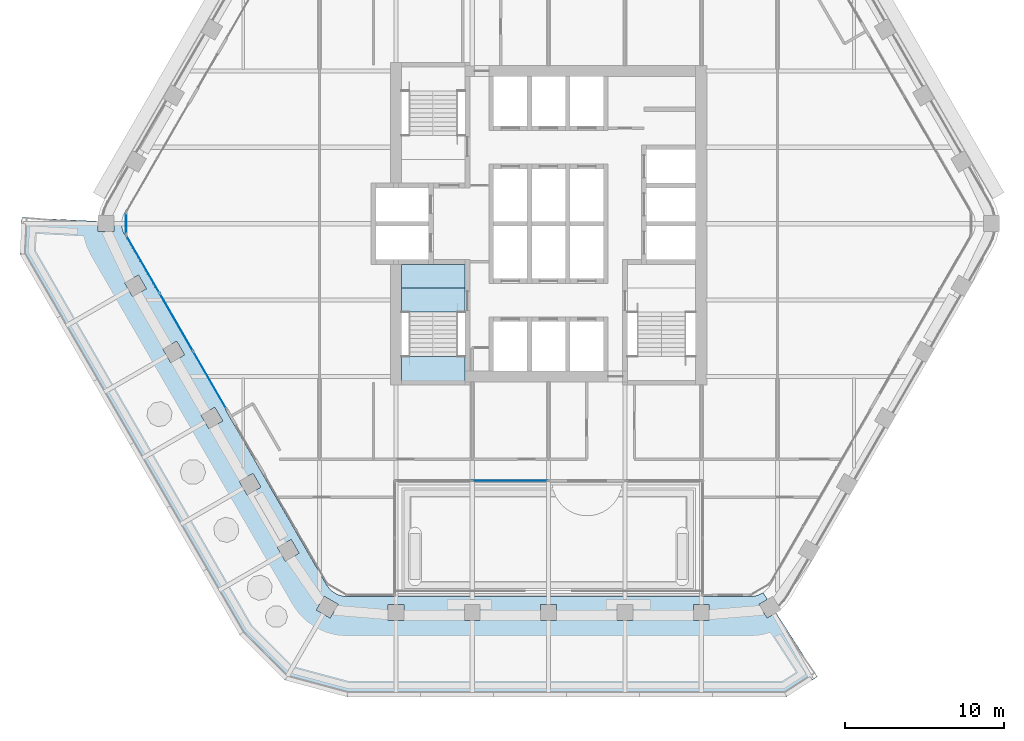
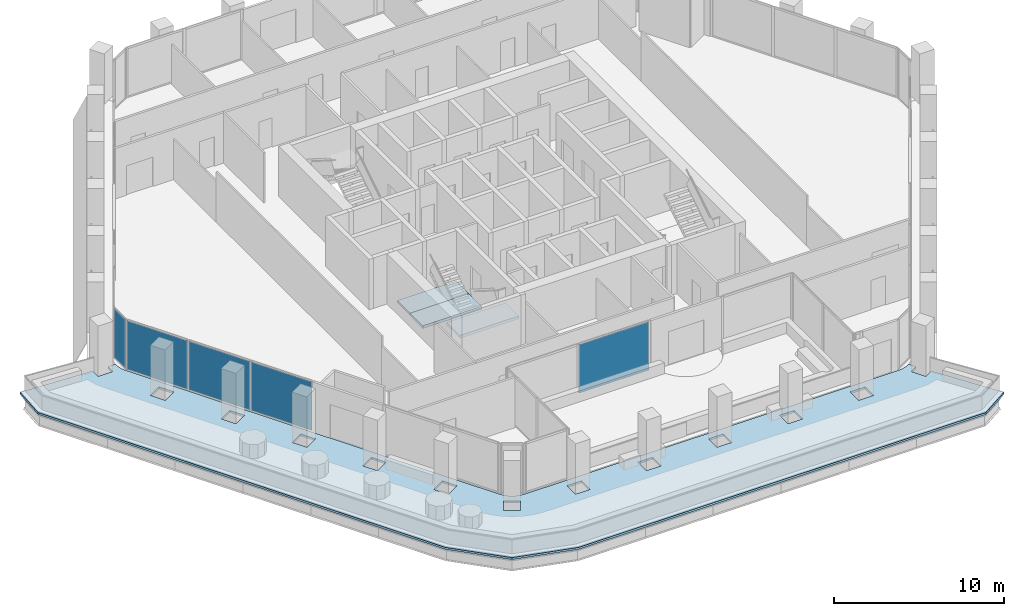
# One storey, part 9 of 18: 5 plates, 4 slabs, 4 elements without a shape of their own.
"""IFC4 building model written with IfcOpenShell, lengths in metres."""

from ifc_helpers import new_model, si_unit, direction, frame, origin, origin_2d, place, context, subcontext, project, spatial, polyline, rectangle, outline, extrude, material, layer, layer_set, type_object, element, aggregate, save


model = new_model("IFC4")

# Units and contexts
model_context = context("Model", 3, precision=1e-05, world=origin(), true_north=direction((0.0, 1.0)))
body_context = subcontext(model_context, "Body", "Model", "MODEL_VIEW")
ifc_project = project(units=[si_unit("LENGTHUNIT", "METRE"), si_unit("AREAUNIT", "SQUARE_METRE"), si_unit("VOLUMEUNIT", "CUBIC_METRE"), si_unit("PLANEANGLEUNIT", "RADIAN"), si_unit("MASSUNIT", "GRAM", prefix="KILO")], contexts=[model_context])

# Site, building, storey
site_placement = place(None, origin())
site = spatial("IfcSite", under=ifc_project, at=site_placement, CompositionType="ELEMENT")
building_placement = place(site_placement, origin())
building = spatial("IfcBuilding", under=site, at=building_placement, Name="Kolab Exchange Tower", CompositionType="ELEMENT")
storey_placement = place(building_placement, frame((0.0, 0.0, 212.89990234375)))
storey = spatial("IfcBuildingStorey", under=building, at=storey_placement, Name="L46", CompositionType="ELEMENT", Elevation=212.89990234375)

# Slab
ifc_material_1 = material(Name="Concrete C35/45", Category="concrete")
ifc_layer_1 = layer(ifc_material_1, 0.14990234375)
ifc_layer_set_1 = layer_set([ifc_layer_1], Name="Concrete C35/45")
slab_type_1 = type_object("IfcSlabType", Name="FLOOR SLAB 150", PredefinedType="FLOOR", material=ifc_layer_set_1)
slab_1_placement = place(storey_placement, frame((0.0, 0.0, -0.14990234375)))
element("IfcSlab", 1, at=slab_1_placement, inside=storey, type_object=slab_type_1, Name="slab/L46/floor/3", PredefinedType="FLOOR", context=body_context, shape_type="SweptSolid", body=[
    extrude(outline(polyline([(-7.550048828125, -2.550048828125), (-9.25, -2.550048828125), (-9.25, -4.050048828125), (-5.25, -4.050048828125), (-5.25, -2.550048828125), (-7.25, -2.550048828125), (-7.550048828125, -2.550048828125)])), origin(), (0.0, 0.0, 1.0), 0.14990234375),
])

# Stair, slabs
ifc_material_2 = material(Name="Concrete C50/60", Category="concrete")
stair_type = type_object("IfcStairType", Name="STAIR ST3 RISER 177.3", PredefinedType="HALF_TURN_STAIR", material=ifc_material_2)
stair_placement = place(storey_placement, origin())
stair = element("IfcStair", 2, at=stair_placement, inside=storey, type_object=stair_type, Name="Stair 3", PredefinedType="HALF_TURN_STAIR")
ifc_layer_2 = layer(ifc_material_2, 0.199951171875)
ifc_layer_set_2 = layer_set([ifc_layer_2], Name="Concrete C50/60")
slab_type_2 = type_object("IfcSlabType", Name="STAIR LANDING 200", PredefinedType="LANDING", material=ifc_layer_set_2)
slab_2_placement = place(storey_placement, frame((0.0, 0.0, -0.199951171875)))
slab_2 = element("IfcSlab", 3, at=slab_2_placement, type_object=slab_type_2, Name="ST3 landing 1", PredefinedType="LANDING", context=body_context, shape_type="SweptSolid", body=[
    extrude(outline(polyline([(-9.25, -5.550048828125), (-5.25, -5.550048828125), (-5.25, -4.050048828125), (-9.25, -4.050048828125), (-9.25, -5.550048828125)])), origin(), (0.0, 0.0, 1.0), 0.199951171875),
])
slab_3_placement = place(storey_placement, frame((0.0, 0.0, 1.75)))
slab_3 = element("IfcSlab", 4, at=slab_3_placement, type_object=slab_type_2, Name="ST3 landing 2", PredefinedType="LANDING", context=body_context, shape_type="SweptSolid", body=[
    extrude(outline(polyline([(-9.25, -9.909912109375), (-5.25, -9.909912109375), (-5.25, -8.35009765625), (-9.25, -8.35009765625), (-9.25, -9.909912109375)])), origin(), (0.0, 0.0, 1.0), 0.2001953125),
])
aggregate(stair, [slab_2, slab_3])

# Slab
ifc_layer_3 = layer(ifc_material_1, 0.14990234375)
ifc_layer_set_3 = layer_set([ifc_layer_3], Name="Concrete C35/45")
slab_type_3 = type_object("IfcSlabType", Name="TERRACE SLAB 150 PLANTED", PredefinedType="ROOF", material=ifc_layer_set_3)
slab_4_placement = place(storey_placement, frame((0.0, 0.0, -0.14990234375)))
element("IfcSlab", 5, at=slab_4_placement, inside=storey, type_object=slab_type_3, Name="Roof terrace", PredefinedType="ROOF", context=body_context, shape_type="SweptSolid", body=[
    extrude(outline(polyline([(-33.232421875, -1.922607421875), (-33.232421875, -1.9228515625), (-19.4228515625, -25.841552734375), (-16.56787109375, -28.696533203125), (-12.66796875, -29.741455078125), (14.951171875, -29.741455078125), (16.8955078125, -28.4853515625), (14.2978515625, -24.464599609375), (13.73486328125, -24.78955078125), (13.23486328125, -23.923583984375), (13.754638671875, -23.62353515625), (13.4794921875, -23.197509765625), (13.479248046875, -23.197509765625), (13.418212890625, -23.240478515625), (13.41796875, -23.240478515625), (13.417724609375, -23.24072265625), (13.18115234375, -23.35107421875), (13.180908203125, -23.35107421875), (12.9287109375, -23.418701171875), (12.928466796875, -23.418701171875), (12.92822265625, -23.418701171875), (12.66796875, -23.44140625), (12.66796875, -23.441650390625), (-12.66796875, -23.441650390625), (-12.66796875, -23.44140625), (-12.92822265625, -23.418701171875), (-12.928466796875, -23.418701171875), (-12.9287109375, -23.418701171875), (-13.180908203125, -23.35107421875), (-13.18115234375, -23.35107421875), (-13.417724609375, -23.24072265625), (-13.41796875, -23.240478515625), (-13.418212890625, -23.240478515625), (-13.632080078125, -23.0908203125), (-13.632080078125, -23.090576171875), (-13.63232421875, -23.090576171875), (-13.81689453125, -22.90576171875), (-13.817138671875, -22.905517578125), (-13.967041015625, -22.691650390625), (-13.967041015625, -22.69140625), (-26.635009765625, -0.75), (-26.745361328125, -0.51318359375), (-26.745361328125, -0.512939453125), (-26.81298828125, -0.2607421875), (-26.81298828125, -0.260498046875), (-26.813232421875, -0.26025390625), (-26.8359375, -0.000244140625), (-26.8359375, 0.0), (-26.8359375, 0.000244140625), (-26.829345703125, 0.07470703125), (-27.3359375, 0.10009765625), (-27.3359375, -0.5), (-28.3359375, -0.5), (-28.3359375, 0.150146484375), (-33.11669921875, 0.389404296875), (-33.11669921875, 0.38916015625), (-33.232421875, -1.922607421875)]), holes=[polyline([(-10.10009765625, -24.941650390625), (-10.10009765625, -23.941650390625), (-9.10009765625, -23.941650390625), (-9.10009765625, -24.941650390625), (-10.10009765625, -24.941650390625)]), polyline([(-14.60107421875, -24.28955078125), (-14.10107421875, -23.423583984375), (-13.23486328125, -23.923583984375), (-13.73486328125, -24.78955078125), (-14.60107421875, -24.28955078125)]), polyline([(-17.050048828125, -20.3515625), (-16.18408203125, -19.8515625), (-15.68408203125, -20.717529296875), (-16.550048828125, -21.217529296875), (-17.050048828125, -20.3515625)]), polyline([(-19.449951171875, -16.194580078125), (-18.583984375, -15.694580078125), (-18.083984375, -16.560791015625), (-18.949951171875, -17.060791015625), (-19.449951171875, -16.194580078125)]), polyline([(-21.85009765625, -12.037841796875), (-20.98388671875, -11.537841796875), (-20.48388671875, -12.40380859375), (-21.35009765625, -12.90380859375), (-21.85009765625, -12.037841796875)]), polyline([(-24.25, -7.880859375), (-23.384033203125, -7.380859375), (-22.884033203125, -8.246826171875), (-23.75, -8.746826171875), (-24.25, -7.880859375)]), polyline([(-26.64990234375, -3.723876953125), (-25.783935546875, -3.223876953125), (-25.283935546875, -4.08984375), (-26.14990234375, -4.58984375), (-26.64990234375, -3.723876953125)]), polyline([(-0.5, -23.941650390625), (0.5, -23.941650390625), (0.5, -24.941650390625), (-0.5, -24.941650390625), (-0.5, -23.941650390625)]), polyline([(-5.300048828125, -23.941650390625), (-4.300048828125, -23.941650390625), (-4.300048828125, -24.941650390625), (-5.300048828125, -24.941650390625), (-5.300048828125, -23.941650390625)]), polyline([(4.300048828125, -23.941650390625), (5.300048828125, -23.941650390625), (5.300048828125, -24.941650390625), (4.300048828125, -24.941650390625), (4.300048828125, -23.941650390625)]), polyline([(9.10009765625, -23.941650390625), (10.10009765625, -23.941650390625), (10.10009765625, -24.941650390625), (9.10009765625, -24.941650390625), (9.10009765625, -23.941650390625)])]), origin(), (0.0, 0.0, 1.0), 0.14990234375),
])

# Curtain wall, plate
ifc_material_3 = material(Name="Aluminium EN AW-6063 T6", Category="aluminium")
curtain_wall_type = type_object("IfcCurtainWallType", Name="UNITISED UPPER MID ZONE CURTAIN WALL", PredefinedType="NOTDEFINED", material=ifc_material_3)
curtain_wall_1_placement = place(storey_placement, origin())
curtain_wall_1 = element("IfcCurtainWall", 6, at=curtain_wall_1_placement, inside=storey, type_object=curtain_wall_type, Name="cw/L46/F4-back-2", PredefinedType="NOTDEFINED")
ifc_material_4 = material(Name="Clear insulated glazing unit", Category="glass")
ifc_layer_4 = layer(ifc_material_4, 0.028076171875)
ifc_layer_set_4 = layer_set([ifc_layer_4], Name="Clear insulated glazing unit")
plate_type = type_object("IfcPlateType", Name="UNITISED UPPER MID ZONE GLASS PANEL 28", PredefinedType="CURTAIN_PANEL", material=ifc_layer_set_4)
plate_1_placement = place(storey_placement, frame((-2.43505859375, -16.16162109375, 0.06005859375), z_axis=(0.0, 0.0, 1.0), x_axis=(-1.0, 0.0, 0.0)))
plate_1 = element("IfcPlate", 7, at=plate_1_placement, type_object=plate_type, Name="CW3 panel 1.1", PredefinedType="CURTAIN_PANEL", context=body_context, shape_type="SweptSolid", body=[
    extrude(rectangle(XDim=4.75, YDim=0.028076171875, at=origin_2d()), origin(), (0.0, 0.0, 1.0), 3.47998046875),
])
aggregate(curtain_wall_1, [plate_1])

# Curtain wall, plates
curtain_wall_2_placement = place(storey_placement, origin())
curtain_wall_2 = element("IfcCurtainWall", 8, at=curtain_wall_2_placement, inside=storey, type_object=curtain_wall_type, Name="cw/L46/F5-2", PredefinedType="NOTDEFINED")
plate_2_placement = place(storey_placement, frame((-21.294921875, -9.83935546875, 0.06005859375), z_axis=(0.0, 0.0, 1.0), x_axis=(-0.499999958358, 0.866025427826, 0.0)))
plate_2 = element("IfcPlate", 9, at=plate_2_placement, type_object=plate_type, Name="CW3 panel 1.1", PredefinedType="CURTAIN_PANEL", context=body_context, shape_type="SweptSolid", body=[
    extrude(rectangle(XDim=4.132568359375, YDim=0.028076171875, at=origin_2d()), origin(), (0.0, 0.0, 1.0), 3.47998046875),
])
plate_3_placement = place(storey_placement, frame((-23.398681640625, -6.1953125, 0.06005859375), z_axis=(0.0, 0.0, 1.0), x_axis=(-0.499999958358, 0.866025427826, 0.0)))
plate_3 = element("IfcPlate", 10, at=plate_3_placement, type_object=plate_type, Name="CW3 panel 2.1", PredefinedType="CURTAIN_PANEL", context=body_context, shape_type="SweptSolid", body=[
    extrude(rectangle(XDim=4.16259765625, YDim=0.028076171875, at=origin_2d()), origin(), (0.0, 0.0, 1.0), 3.47998046875),
])
plate_4_placement = place(storey_placement, frame((-25.50244140625, -2.551513671875, 0.06005859375), z_axis=(0.0, 0.0, 1.0), x_axis=(-0.499999958358, 0.866025427826, 0.0)))
plate_4 = element("IfcPlate", 11, at=plate_4_placement, type_object=plate_type, Name="CW3 panel 3.1", PredefinedType="CURTAIN_PANEL", context=body_context, shape_type="SweptSolid", body=[
    extrude(rectangle(XDim=4.132568359375, YDim=0.028076171875, at=origin_2d()), origin(), (0.0, 0.0, 1.0), 3.47998046875),
])
aggregate(curtain_wall_2, [plate_2, plate_3, plate_4])

# Curtain wall, plate
curtain_wall_3_placement = place(storey_placement, origin())
curtain_wall_3 = element("IfcCurtainWall", 12, at=curtain_wall_3_placement, inside=storey, type_object=curtain_wall_type, Name="cw/L46/F5F6-corner", PredefinedType="NOTDEFINED")
plate_5_placement = place(storey_placement, frame((-26.565673828125, 0.0, 0.06005859375), z_axis=(0.0, 0.0, 1.0), x_axis=(0.0, 1.0, 0.0)))
plate_5 = element("IfcPlate", 13, at=plate_5_placement, type_object=plate_type, Name="CW3 panel 1.1", PredefinedType="CURTAIN_PANEL", context=body_context, shape_type="SweptSolid", body=[
    extrude(rectangle(XDim=1.300048828125, YDim=0.028076171875, at=origin_2d()), origin(), (0.0, 0.0, 1.0), 3.47998046875),
])
aggregate(curtain_wall_3, [plate_5])

save(model, "model.ifc")
